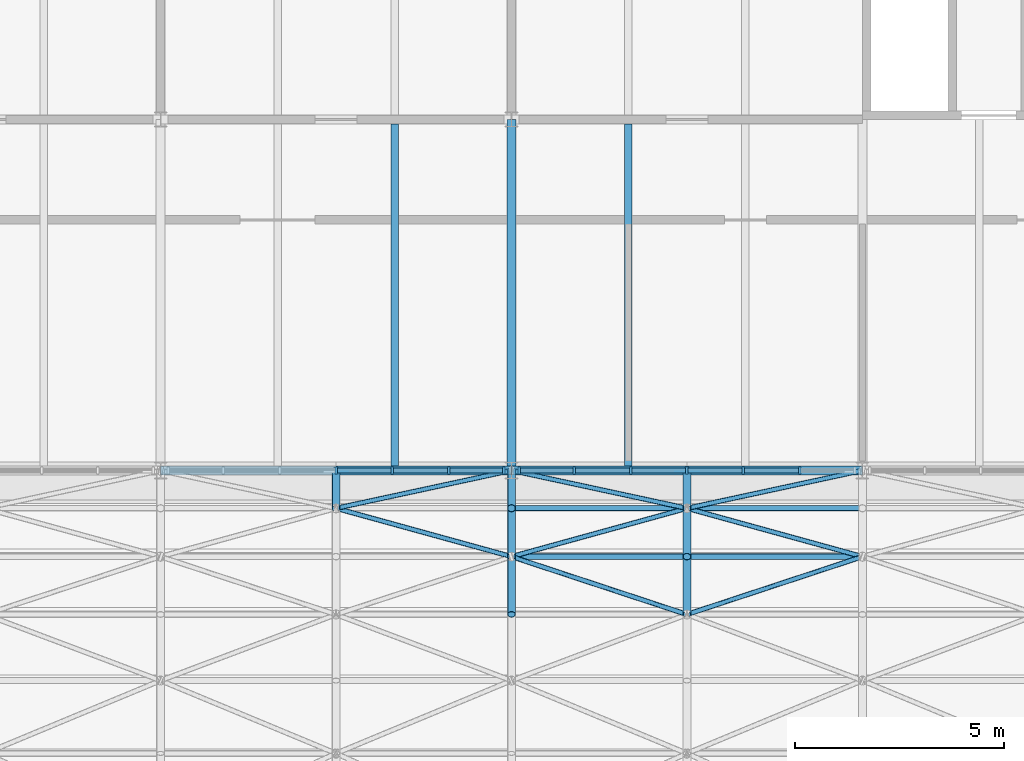
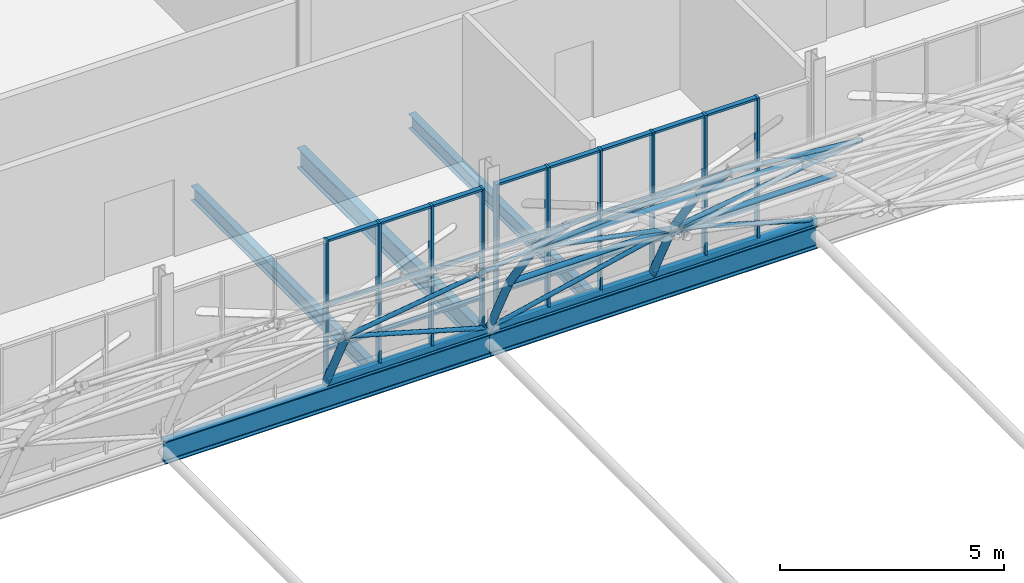
# One storey, part 55 of 121: 64 members, 5 beams, 2 elements without a shape of their own.
"""IFC4 building model written with IfcOpenShell, lengths in metres."""

from ifc_helpers import new_model, si_unit, direction, frame, origin, origin_2d, place, context, subcontext, project, spatial, rectangle, hollow_circle, i_section, extrude, material, layer, layer_set, material_profile, profile_set, type_object, element, aggregate, save


model = new_model("IFC4")

# Units and contexts
model_context = context("Model", 3, precision=1e-05, world=origin(), true_north=direction((0.0, 1.0)))
body_context = subcontext(model_context, "Body", "Model", "MODEL_VIEW")
ifc_project = project(units=[si_unit("LENGTHUNIT", "METRE"), si_unit("AREAUNIT", "SQUARE_METRE"), si_unit("VOLUMEUNIT", "CUBIC_METRE"), si_unit("PLANEANGLEUNIT", "RADIAN"), si_unit("MASSUNIT", "GRAM", prefix="KILO")], contexts=[model_context])

# Site, building, storey
site_placement = place(None, origin())
site = spatial("IfcSite", under=ifc_project, at=site_placement, CompositionType="ELEMENT")
building_placement = place(site_placement, origin())
building = spatial("IfcBuilding", under=site, at=building_placement, Name="Ardhachandra Cancer Care Centre", CompositionType="ELEMENT")
storey_placement = place(building_placement, frame((0.0, 0.0, 9.0)))
storey = spatial("IfcBuildingStorey", under=building, at=storey_placement, Name="L02", CompositionType="ELEMENT", Elevation=9.0)

# Beams
ifc_material_1 = material(Name="Steel E350 (IS 2062)", Category="steel")
ifc_material_profile_1 = material_profile(ifc_material_1, i_section(OverallWidth=0.179931640625, OverallDepth=0.39990234375, WebThickness=0.008544921875, FlangeThickness=0.013427734375, FilletRadius=0.02099609375, at=origin_2d()), Name="NPB 400x180x66.30")
ifc_profile_set_1 = profile_set([ifc_material_profile_1], Name="Steel E350 (IS 2062)")
beam_type_1 = type_object("IfcBeamType", Name="Beam NPB 400x180x66.30", PredefinedType="BEAM", material=ifc_profile_set_1)
for number, where, z_axis, x_axis, name in (
    (1, (92.0, 79.912109375, -0.35009765625), (0.0, 1.0, 0.0), (-1.0, 0.0, 0.0), "Secondary J10-K10@5600"),
    (2, (97.60009765625, 79.912109375, -0.35009765625), (0.0, 1.0, 0.0), (-1.0, 0.0, 0.0), "Secondary J11-K11@2800"),
):
    element("IfcBeam", number, at=place(storey_placement, frame(where, z_axis=z_axis, x_axis=x_axis)), inside=storey, type_object=beam_type_1, Name=name, PredefinedType="BEAM", context=body_context, shape_type="SweptSolid", body=[
        extrude(i_section(OverallWidth=0.179931640625, OverallDepth=0.39990234375, WebThickness=0.008544921875, FlangeThickness=0.013427734375, FilletRadius=0.02099609375, at=origin_2d()), origin(), (0.0, 0.0, 1.0), 8.182861328125),
    ])
ifc_material_2 = material(Name="Steel E350 (IS 2062)", Category="steel")
ifc_material_profile_2 = material_profile(ifc_material_2, i_section(OverallWidth=0.2099609375, OverallDepth=0.550048828125, WebThickness=0.010986328125, FlangeThickness=0.01708984375, FilletRadius=0.02392578125, at=origin_2d()), Name="NPB 550x210x105.52")
ifc_profile_set_2 = profile_set([ifc_material_profile_2], Name="Steel E350 (IS 2062)")
beam_type_2 = type_object("IfcBeamType", Name="Beam NPB 550x210x105.52", PredefinedType="BEAM", material=ifc_profile_set_2)
beam_1_placement = place(storey_placement, frame((94.800048828125, 79.800048828125, -0.425048828125), z_axis=(0.0, 1.0, 0.0), x_axis=(-1.0, 0.0, 0.0)))
element("IfcBeam", 3, at=beam_1_placement, inside=storey, type_object=beam_type_2, Name="Girder J11-K11", PredefinedType="BEAM", context=body_context, shape_type="SweptSolid", body=[
    extrude(i_section(OverallWidth=0.2099609375, OverallDepth=0.550048828125, WebThickness=0.010986328125, FlangeThickness=0.01708984375, FilletRadius=0.02392578125, at=origin_2d()), origin(), (0.0, 0.0, 1.0), 8.39990234375),
])
ifc_material_3 = material(Name="Steel E350 (IS 2062)", Category="steel")
ifc_material_profile_3 = material_profile(ifc_material_3, i_section(OverallWidth=0.22412109375, OverallDepth=0.610107421875, WebThickness=0.014892578125, FlangeThickness=0.02392578125, FilletRadius=0.02392578125, at=origin_2d()), Name="NPB 600x220x154.46")
ifc_profile_set_3 = profile_set([ifc_material_profile_3], Name="Steel E350 (IS 2062)")
beam_type_3 = type_object("IfcBeamType", Name="Beam NPB 600x220x154.46", PredefinedType="BEAM", material=ifc_profile_set_3)
beam_2_placement = place(storey_placement, frame((86.39990234375, 79.800048828125, -0.41455078125), z_axis=(1.0, 0.0, 0.0), x_axis=(0.0, 1.0, 0.0)))
element("IfcBeam", 4, at=beam_2_placement, inside=storey, type_object=beam_type_3, Name="Shell edge beam J10-J11", PredefinedType="BEAM", context=body_context, shape_type="SweptSolid", body=[
    extrude(i_section(OverallWidth=0.22412109375, OverallDepth=0.610107421875, WebThickness=0.014892578125, FlangeThickness=0.02392578125, FilletRadius=0.02392578125, at=origin_2d()), origin(), (0.0, 0.0, 1.0), 8.400146484375),
])
beam_3_placement = place(storey_placement, frame((94.800048828125, 79.800048828125, -0.41455078125), z_axis=(1.0, 0.0, 0.0), x_axis=(0.0, 1.0, 0.0)))
element("IfcBeam", 5, at=beam_3_placement, inside=storey, type_object=beam_type_3, Name="Shell edge beam J11-J12", PredefinedType="BEAM", context=body_context, shape_type="SweptSolid", body=[
    extrude(i_section(OverallWidth=0.22412109375, OverallDepth=0.610107421875, WebThickness=0.014892578125, FlangeThickness=0.02392578125, FilletRadius=0.02392578125, at=origin_2d()), origin(), (0.0, 0.0, 1.0), 8.39990234375),
])

# Curtain wall, members
ifc_material_4 = material(Name="Aluminium extrusion", Category="aluminium")
ifc_layer = layer(ifc_material_4, 0.14990234375)
ifc_layer_set = layer_set([ifc_layer], Name="Aluminium extrusion")
curtain_wall_type = type_object("IfcCurtainWallType", Name="Curtain wall run", PredefinedType="NOTDEFINED", material=ifc_layer_set)
curtain_wall_1_placement = place(storey_placement, origin())
curtain_wall_1 = element("IfcCurtainWall", 6, at=curtain_wall_1_placement, inside=storey, type_object=curtain_wall_type, Name="Curtain wall L02 s/0086400_0079800", PredefinedType="NOTDEFINED")
ifc_material_5 = material(Name="Aluminium extrusion", Category="aluminium")
ifc_material_profile_4 = material_profile(ifc_material_5, rectangle(XDim=0.159912109375, YDim=0.06005859375, at=origin_2d()), Name="Curtain wall mullion 60 x 160")
ifc_profile_set_4 = profile_set([ifc_material_profile_4], Name="Aluminium extrusion")
member_type_1 = type_object("IfcMemberType", Name="Curtain wall mullion 60 x 160", PredefinedType="MULLION", material=ifc_profile_set_4)
member_1_placement = place(storey_placement, frame((90.60009765625, 79.800048828125, 0.0), z_axis=(0.0, 0.0, 1.0), x_axis=(0.0, 1.0, 0.0)))
member_1 = element("IfcMember", 7, at=member_1_placement, type_object=member_type_1, Name="CW mullion 4", PredefinedType="MULLION", context=body_context, shape_type="SweptSolid", body=[
    extrude(rectangle(XDim=0.159912109375, YDim=0.06005859375, at=origin_2d()), origin(), (0.0, 0.0, 1.0), 3.885986328125),
])
member_2_placement = place(storey_placement, frame((91.949951171875, 79.800048828125, 0.0), z_axis=(0.0, 0.0, 1.0), x_axis=(0.0, 1.0, 0.0)))
member_2 = element("IfcMember", 8, at=member_2_placement, type_object=member_type_1, Name="CW mullion 5", PredefinedType="MULLION", context=body_context, shape_type="SweptSolid", body=[
    extrude(rectangle(XDim=0.159912109375, YDim=0.06005859375, at=origin_2d()), origin(), (0.0, 0.0, 1.0), 3.885986328125),
])
member_3_placement = place(storey_placement, frame((93.300048828125, 79.800048828125, 0.0), z_axis=(0.0, 0.0, 1.0), x_axis=(0.0, 1.0, 0.0)))
member_3 = element("IfcMember", 9, at=member_3_placement, type_object=member_type_1, Name="CW mullion 6", PredefinedType="MULLION", context=body_context, shape_type="SweptSolid", body=[
    extrude(rectangle(XDim=0.159912109375, YDim=0.06005859375, at=origin_2d()), origin(), (0.0, 0.0, 1.0), 3.885986328125),
])
member_4_placement = place(storey_placement, frame((94.6201171875, 79.800048828125, 0.0), z_axis=(0.0, 0.0, 1.0), x_axis=(0.0, 1.0, 0.0)))
member_4 = element("IfcMember", 10, at=member_4_placement, type_object=member_type_1, Name="CW mullion 7", PredefinedType="MULLION", context=body_context, shape_type="SweptSolid", body=[
    extrude(rectangle(XDim=0.159912109375, YDim=0.06005859375, at=origin_2d()), origin(), (0.0, 0.0, 1.0), 3.885986328125),
])

curtain_wall_2_placement = place(storey_placement, origin())
curtain_wall_2 = element("IfcCurtainWall", 11, at=curtain_wall_2_placement, inside=storey, type_object=curtain_wall_type, Name="Curtain wall L02 s/0094800_0079800", PredefinedType="NOTDEFINED")
member_5_placement = place(storey_placement, frame((94.97998046875, 79.800048828125, 0.0), z_axis=(0.0, 0.0, 1.0), x_axis=(0.0, 1.0, 0.0)))
member_5 = element("IfcMember", 12, at=member_5_placement, type_object=member_type_1, Name="CW mullion 1", PredefinedType="MULLION", context=body_context, shape_type="SweptSolid", body=[
    extrude(rectangle(XDim=0.159912109375, YDim=0.06005859375, at=origin_2d()), origin(), (0.0, 0.0, 1.0), 3.885986328125),
])
member_6_placement = place(storey_placement, frame((96.300048828125, 79.800048828125, 0.0), z_axis=(0.0, 0.0, 1.0), x_axis=(0.0, 1.0, 0.0)))
member_6 = element("IfcMember", 13, at=member_6_placement, type_object=member_type_1, Name="CW mullion 2", PredefinedType="MULLION", context=body_context, shape_type="SweptSolid", body=[
    extrude(rectangle(XDim=0.159912109375, YDim=0.06005859375, at=origin_2d()), origin(), (0.0, 0.0, 1.0), 3.885986328125),
])
member_7_placement = place(storey_placement, frame((97.64990234375, 79.800048828125, 0.0), z_axis=(0.0, 0.0, 1.0), x_axis=(0.0, 1.0, 0.0)))
member_7 = element("IfcMember", 14, at=member_7_placement, type_object=member_type_1, Name="CW mullion 3", PredefinedType="MULLION", context=body_context, shape_type="SweptSolid", body=[
    extrude(rectangle(XDim=0.159912109375, YDim=0.06005859375, at=origin_2d()), origin(), (0.0, 0.0, 1.0), 3.885986328125),
])
member_8_placement = place(storey_placement, frame((99.0, 79.800048828125, 0.0), z_axis=(0.0, 0.0, 1.0), x_axis=(0.0, 1.0, 0.0)))
member_8 = element("IfcMember", 15, at=member_8_placement, type_object=member_type_1, Name="CW mullion 4", PredefinedType="MULLION", context=body_context, shape_type="SweptSolid", body=[
    extrude(rectangle(XDim=0.159912109375, YDim=0.06005859375, at=origin_2d()), origin(), (0.0, 0.0, 1.0), 3.885986328125),
])
member_9_placement = place(storey_placement, frame((100.35009765625, 79.800048828125, 0.0), z_axis=(0.0, 0.0, 1.0), x_axis=(0.0, 1.0, 0.0)))
member_9 = element("IfcMember", 16, at=member_9_placement, type_object=member_type_1, Name="CW mullion 5", PredefinedType="MULLION", context=body_context, shape_type="SweptSolid", body=[
    extrude(rectangle(XDim=0.159912109375, YDim=0.06005859375, at=origin_2d()), origin(), (0.0, 0.0, 1.0), 3.885986328125),
])
member_10_placement = place(storey_placement, frame((101.699951171875, 79.800048828125, 0.0), z_axis=(0.0, 0.0, 1.0), x_axis=(0.0, 1.0, 0.0)))
member_10 = element("IfcMember", 17, at=member_10_placement, type_object=member_type_1, Name="CW mullion 6", PredefinedType="MULLION", context=body_context, shape_type="SweptSolid", body=[
    extrude(rectangle(XDim=0.159912109375, YDim=0.06005859375, at=origin_2d()), origin(), (0.0, 0.0, 1.0), 3.885986328125),
])

# Member
ifc_material_6 = material(Name="Aluminium extrusion", Category="aluminium")
ifc_material_profile_5 = material_profile(ifc_material_6, rectangle(XDim=0.1201171875, YDim=0.06005859375, at=origin_2d()), Name="Curtain wall transom 60 x 120")
ifc_profile_set_5 = profile_set([ifc_material_profile_5], Name="Aluminium extrusion")
member_type_2 = type_object("IfcMemberType", Name="Curtain wall transom 60 x 120", PredefinedType="USERDEFINED", material=ifc_profile_set_5)
member_11_placement = place(storey_placement, frame((90.6298828125, 79.800048828125, 0.030029296875), z_axis=(1.0, 0.0, 0.0), x_axis=(0.0, 1.0, 0.0)))
member_11 = element("IfcMember", 18, at=member_11_placement, type_object=member_type_2, Name="CW transom 4.1", ObjectType="TRANSOM", PredefinedType="USERDEFINED", context=body_context, shape_type="SweptSolid", body=[
    extrude(rectangle(XDim=0.1201171875, YDim=0.06005859375, at=origin_2d()), origin(), (0.0, 0.0, 1.0), 1.2900390625),
])

member_12_placement = place(storey_placement, frame((90.6298828125, 79.800048828125, 0.89990234375), z_axis=(1.0, 0.0, 0.0), x_axis=(0.0, 1.0, 0.0)))
member_12 = element("IfcMember", 19, at=member_12_placement, type_object=member_type_2, Name="CW transom 4.2", ObjectType="TRANSOM", PredefinedType="USERDEFINED", context=body_context, shape_type="SweptSolid", body=[
    extrude(rectangle(XDim=0.1201171875, YDim=0.06005859375, at=origin_2d()), origin(), (0.0, 0.0, 1.0), 1.2900390625),
])

member_13_placement = place(storey_placement, frame((90.6298828125, 79.800048828125, 2.10009765625), z_axis=(1.0, 0.0, 0.0), x_axis=(0.0, 1.0, 0.0)))
member_13 = element("IfcMember", 20, at=member_13_placement, type_object=member_type_2, Name="CW transom 4.3", ObjectType="TRANSOM", PredefinedType="USERDEFINED", context=body_context, shape_type="SweptSolid", body=[
    extrude(rectangle(XDim=0.1201171875, YDim=0.06005859375, at=origin_2d()), origin(), (0.0, 0.0, 1.0), 1.2900390625),
])

member_14_placement = place(storey_placement, frame((90.6298828125, 79.800048828125, 3.85595703125), z_axis=(1.0, 0.0, 0.0), x_axis=(0.0, 1.0, 0.0)))
member_14 = element("IfcMember", 21, at=member_14_placement, type_object=member_type_2, Name="CW transom 4.4", ObjectType="TRANSOM", PredefinedType="USERDEFINED", context=body_context, shape_type="SweptSolid", body=[
    extrude(rectangle(XDim=0.1201171875, YDim=0.06005859375, at=origin_2d()), origin(), (0.0, 0.0, 1.0), 1.2900390625),
])

member_15_placement = place(storey_placement, frame((91.97998046875, 79.800048828125, 0.030029296875), z_axis=(1.0, 0.0, 0.0), x_axis=(0.0, 1.0, 0.0)))
member_15 = element("IfcMember", 22, at=member_15_placement, type_object=member_type_2, Name="CW transom 5.1", ObjectType="TRANSOM", PredefinedType="USERDEFINED", context=body_context, shape_type="SweptSolid", body=[
    extrude(rectangle(XDim=0.1201171875, YDim=0.06005859375, at=origin_2d()), origin(), (0.0, 0.0, 1.0), 1.2900390625),
])

member_16_placement = place(storey_placement, frame((91.97998046875, 79.800048828125, 0.89990234375), z_axis=(1.0, 0.0, 0.0), x_axis=(0.0, 1.0, 0.0)))
member_16 = element("IfcMember", 23, at=member_16_placement, type_object=member_type_2, Name="CW transom 5.2", ObjectType="TRANSOM", PredefinedType="USERDEFINED", context=body_context, shape_type="SweptSolid", body=[
    extrude(rectangle(XDim=0.1201171875, YDim=0.06005859375, at=origin_2d()), origin(), (0.0, 0.0, 1.0), 1.2900390625),
])

member_17_placement = place(storey_placement, frame((91.97998046875, 79.800048828125, 2.10009765625), z_axis=(1.0, 0.0, 0.0), x_axis=(0.0, 1.0, 0.0)))
member_17 = element("IfcMember", 24, at=member_17_placement, type_object=member_type_2, Name="CW transom 5.3", ObjectType="TRANSOM", PredefinedType="USERDEFINED", context=body_context, shape_type="SweptSolid", body=[
    extrude(rectangle(XDim=0.1201171875, YDim=0.06005859375, at=origin_2d()), origin(), (0.0, 0.0, 1.0), 1.2900390625),
])

member_18_placement = place(storey_placement, frame((91.97998046875, 79.800048828125, 3.85595703125), z_axis=(1.0, 0.0, 0.0), x_axis=(0.0, 1.0, 0.0)))
member_18 = element("IfcMember", 25, at=member_18_placement, type_object=member_type_2, Name="CW transom 5.4", ObjectType="TRANSOM", PredefinedType="USERDEFINED", context=body_context, shape_type="SweptSolid", body=[
    extrude(rectangle(XDim=0.1201171875, YDim=0.06005859375, at=origin_2d()), origin(), (0.0, 0.0, 1.0), 1.2900390625),
])

member_19_placement = place(storey_placement, frame((93.330078125, 79.800048828125, 0.030029296875), z_axis=(1.0, 0.0, 0.0), x_axis=(0.0, 1.0, 0.0)))
member_19 = element("IfcMember", 26, at=member_19_placement, type_object=member_type_2, Name="CW transom 6.1", ObjectType="TRANSOM", PredefinedType="USERDEFINED", context=body_context, shape_type="SweptSolid", body=[
    extrude(rectangle(XDim=0.1201171875, YDim=0.06005859375, at=origin_2d()), origin(), (0.0, 0.0, 1.0), 1.260009765625),
])

member_20_placement = place(storey_placement, frame((93.330078125, 79.800048828125, 0.89990234375), z_axis=(1.0, 0.0, 0.0), x_axis=(0.0, 1.0, 0.0)))
member_20 = element("IfcMember", 27, at=member_20_placement, type_object=member_type_2, Name="CW transom 6.2", ObjectType="TRANSOM", PredefinedType="USERDEFINED", context=body_context, shape_type="SweptSolid", body=[
    extrude(rectangle(XDim=0.1201171875, YDim=0.06005859375, at=origin_2d()), origin(), (0.0, 0.0, 1.0), 1.260009765625),
])

member_21_placement = place(storey_placement, frame((93.330078125, 79.800048828125, 2.10009765625), z_axis=(1.0, 0.0, 0.0), x_axis=(0.0, 1.0, 0.0)))
member_21 = element("IfcMember", 28, at=member_21_placement, type_object=member_type_2, Name="CW transom 6.3", ObjectType="TRANSOM", PredefinedType="USERDEFINED", context=body_context, shape_type="SweptSolid", body=[
    extrude(rectangle(XDim=0.1201171875, YDim=0.06005859375, at=origin_2d()), origin(), (0.0, 0.0, 1.0), 1.260009765625),
])

member_22_placement = place(storey_placement, frame((93.330078125, 79.800048828125, 3.85595703125), z_axis=(1.0, 0.0, 0.0), x_axis=(0.0, 1.0, 0.0)))
member_22 = element("IfcMember", 29, at=member_22_placement, type_object=member_type_2, Name="CW transom 6.4", ObjectType="TRANSOM", PredefinedType="USERDEFINED", context=body_context, shape_type="SweptSolid", body=[
    extrude(rectangle(XDim=0.1201171875, YDim=0.06005859375, at=origin_2d()), origin(), (0.0, 0.0, 1.0), 1.260009765625),
])

aggregate(curtain_wall_1, [member_1, member_2, member_3, member_4, member_11, member_12, member_13, member_14, member_15, member_16, member_17, member_18, member_19, member_20, member_21, member_22])

member_23_placement = place(storey_placement, frame((95.010009765625, 79.800048828125, 0.030029296875), z_axis=(1.0, 0.0, 0.0), x_axis=(0.0, 1.0, 0.0)))
member_23 = element("IfcMember", 30, at=member_23_placement, type_object=member_type_2, Name="CW transom 1.1", ObjectType="TRANSOM", PredefinedType="USERDEFINED", context=body_context, shape_type="SweptSolid", body=[
    extrude(rectangle(XDim=0.1201171875, YDim=0.06005859375, at=origin_2d()), origin(), (0.0, 0.0, 1.0), 1.260009765625),
])

member_24_placement = place(storey_placement, frame((95.010009765625, 79.800048828125, 0.89990234375), z_axis=(1.0, 0.0, 0.0), x_axis=(0.0, 1.0, 0.0)))
member_24 = element("IfcMember", 31, at=member_24_placement, type_object=member_type_2, Name="CW transom 1.2", ObjectType="TRANSOM", PredefinedType="USERDEFINED", context=body_context, shape_type="SweptSolid", body=[
    extrude(rectangle(XDim=0.1201171875, YDim=0.06005859375, at=origin_2d()), origin(), (0.0, 0.0, 1.0), 1.260009765625),
])

member_25_placement = place(storey_placement, frame((95.010009765625, 79.800048828125, 2.10009765625), z_axis=(1.0, 0.0, 0.0), x_axis=(0.0, 1.0, 0.0)))
member_25 = element("IfcMember", 32, at=member_25_placement, type_object=member_type_2, Name="CW transom 1.3", ObjectType="TRANSOM", PredefinedType="USERDEFINED", context=body_context, shape_type="SweptSolid", body=[
    extrude(rectangle(XDim=0.1201171875, YDim=0.06005859375, at=origin_2d()), origin(), (0.0, 0.0, 1.0), 1.260009765625),
])

member_26_placement = place(storey_placement, frame((95.010009765625, 79.800048828125, 3.85595703125), z_axis=(1.0, 0.0, 0.0), x_axis=(0.0, 1.0, 0.0)))
member_26 = element("IfcMember", 33, at=member_26_placement, type_object=member_type_2, Name="CW transom 1.4", ObjectType="TRANSOM", PredefinedType="USERDEFINED", context=body_context, shape_type="SweptSolid", body=[
    extrude(rectangle(XDim=0.1201171875, YDim=0.06005859375, at=origin_2d()), origin(), (0.0, 0.0, 1.0), 1.260009765625),
])

member_27_placement = place(storey_placement, frame((96.330078125, 79.800048828125, 0.030029296875), z_axis=(1.0, 0.0, 0.0), x_axis=(0.0, 1.0, 0.0)))
member_27 = element("IfcMember", 34, at=member_27_placement, type_object=member_type_2, Name="CW transom 2.1", ObjectType="TRANSOM", PredefinedType="USERDEFINED", context=body_context, shape_type="SweptSolid", body=[
    extrude(rectangle(XDim=0.1201171875, YDim=0.06005859375, at=origin_2d()), origin(), (0.0, 0.0, 1.0), 1.2900390625),
])

member_28_placement = place(storey_placement, frame((96.330078125, 79.800048828125, 0.89990234375), z_axis=(1.0, 0.0, 0.0), x_axis=(0.0, 1.0, 0.0)))
member_28 = element("IfcMember", 35, at=member_28_placement, type_object=member_type_2, Name="CW transom 2.2", ObjectType="TRANSOM", PredefinedType="USERDEFINED", context=body_context, shape_type="SweptSolid", body=[
    extrude(rectangle(XDim=0.1201171875, YDim=0.06005859375, at=origin_2d()), origin(), (0.0, 0.0, 1.0), 1.2900390625),
])

member_29_placement = place(storey_placement, frame((96.330078125, 79.800048828125, 2.10009765625), z_axis=(1.0, 0.0, 0.0), x_axis=(0.0, 1.0, 0.0)))
member_29 = element("IfcMember", 36, at=member_29_placement, type_object=member_type_2, Name="CW transom 2.3", ObjectType="TRANSOM", PredefinedType="USERDEFINED", context=body_context, shape_type="SweptSolid", body=[
    extrude(rectangle(XDim=0.1201171875, YDim=0.06005859375, at=origin_2d()), origin(), (0.0, 0.0, 1.0), 1.2900390625),
])

member_30_placement = place(storey_placement, frame((96.330078125, 79.800048828125, 3.85595703125), z_axis=(1.0, 0.0, 0.0), x_axis=(0.0, 1.0, 0.0)))
member_30 = element("IfcMember", 37, at=member_30_placement, type_object=member_type_2, Name="CW transom 2.4", ObjectType="TRANSOM", PredefinedType="USERDEFINED", context=body_context, shape_type="SweptSolid", body=[
    extrude(rectangle(XDim=0.1201171875, YDim=0.06005859375, at=origin_2d()), origin(), (0.0, 0.0, 1.0), 1.2900390625),
])

member_31_placement = place(storey_placement, frame((97.679931640625, 79.800048828125, 0.030029296875), z_axis=(1.0, 0.0, 0.0), x_axis=(0.0, 1.0, 0.0)))
member_31 = element("IfcMember", 38, at=member_31_placement, type_object=member_type_2, Name="CW transom 3.1", ObjectType="TRANSOM", PredefinedType="USERDEFINED", context=body_context, shape_type="SweptSolid", body=[
    extrude(rectangle(XDim=0.1201171875, YDim=0.06005859375, at=origin_2d()), origin(), (0.0, 0.0, 1.0), 1.2900390625),
])

member_32_placement = place(storey_placement, frame((97.679931640625, 79.800048828125, 0.89990234375), z_axis=(1.0, 0.0, 0.0), x_axis=(0.0, 1.0, 0.0)))
member_32 = element("IfcMember", 39, at=member_32_placement, type_object=member_type_2, Name="CW transom 3.2", ObjectType="TRANSOM", PredefinedType="USERDEFINED", context=body_context, shape_type="SweptSolid", body=[
    extrude(rectangle(XDim=0.1201171875, YDim=0.06005859375, at=origin_2d()), origin(), (0.0, 0.0, 1.0), 1.2900390625),
])

member_33_placement = place(storey_placement, frame((97.679931640625, 79.800048828125, 2.10009765625), z_axis=(1.0, 0.0, 0.0), x_axis=(0.0, 1.0, 0.0)))
member_33 = element("IfcMember", 40, at=member_33_placement, type_object=member_type_2, Name="CW transom 3.3", ObjectType="TRANSOM", PredefinedType="USERDEFINED", context=body_context, shape_type="SweptSolid", body=[
    extrude(rectangle(XDim=0.1201171875, YDim=0.06005859375, at=origin_2d()), origin(), (0.0, 0.0, 1.0), 1.2900390625),
])

member_34_placement = place(storey_placement, frame((97.679931640625, 79.800048828125, 3.85595703125), z_axis=(1.0, 0.0, 0.0), x_axis=(0.0, 1.0, 0.0)))
member_34 = element("IfcMember", 41, at=member_34_placement, type_object=member_type_2, Name="CW transom 3.4", ObjectType="TRANSOM", PredefinedType="USERDEFINED", context=body_context, shape_type="SweptSolid", body=[
    extrude(rectangle(XDim=0.1201171875, YDim=0.06005859375, at=origin_2d()), origin(), (0.0, 0.0, 1.0), 1.2900390625),
])

member_35_placement = place(storey_placement, frame((99.030029296875, 79.800048828125, 0.030029296875), z_axis=(1.0, 0.0, 0.0), x_axis=(0.0, 1.0, 0.0)))
member_35 = element("IfcMember", 42, at=member_35_placement, type_object=member_type_2, Name="CW transom 4.1", ObjectType="TRANSOM", PredefinedType="USERDEFINED", context=body_context, shape_type="SweptSolid", body=[
    extrude(rectangle(XDim=0.1201171875, YDim=0.06005859375, at=origin_2d()), origin(), (0.0, 0.0, 1.0), 1.2900390625),
])

member_36_placement = place(storey_placement, frame((99.030029296875, 79.800048828125, 0.89990234375), z_axis=(1.0, 0.0, 0.0), x_axis=(0.0, 1.0, 0.0)))
member_36 = element("IfcMember", 43, at=member_36_placement, type_object=member_type_2, Name="CW transom 4.2", ObjectType="TRANSOM", PredefinedType="USERDEFINED", context=body_context, shape_type="SweptSolid", body=[
    extrude(rectangle(XDim=0.1201171875, YDim=0.06005859375, at=origin_2d()), origin(), (0.0, 0.0, 1.0), 1.2900390625),
])

member_37_placement = place(storey_placement, frame((99.030029296875, 79.800048828125, 2.10009765625), z_axis=(1.0, 0.0, 0.0), x_axis=(0.0, 1.0, 0.0)))
member_37 = element("IfcMember", 44, at=member_37_placement, type_object=member_type_2, Name="CW transom 4.3", ObjectType="TRANSOM", PredefinedType="USERDEFINED", context=body_context, shape_type="SweptSolid", body=[
    extrude(rectangle(XDim=0.1201171875, YDim=0.06005859375, at=origin_2d()), origin(), (0.0, 0.0, 1.0), 1.2900390625),
])

member_38_placement = place(storey_placement, frame((99.030029296875, 79.800048828125, 3.85595703125), z_axis=(1.0, 0.0, 0.0), x_axis=(0.0, 1.0, 0.0)))
member_38 = element("IfcMember", 45, at=member_38_placement, type_object=member_type_2, Name="CW transom 4.4", ObjectType="TRANSOM", PredefinedType="USERDEFINED", context=body_context, shape_type="SweptSolid", body=[
    extrude(rectangle(XDim=0.1201171875, YDim=0.06005859375, at=origin_2d()), origin(), (0.0, 0.0, 1.0), 1.2900390625),
])

member_39_placement = place(storey_placement, frame((100.3798828125, 79.800048828125, 0.030029296875), z_axis=(1.0, 0.0, 0.0), x_axis=(0.0, 1.0, 0.0)))
member_39 = element("IfcMember", 46, at=member_39_placement, type_object=member_type_2, Name="CW transom 5.1", ObjectType="TRANSOM", PredefinedType="USERDEFINED", context=body_context, shape_type="SweptSolid", body=[
    extrude(rectangle(XDim=0.1201171875, YDim=0.06005859375, at=origin_2d()), origin(), (0.0, 0.0, 1.0), 1.2900390625),
])

member_40_placement = place(storey_placement, frame((100.3798828125, 79.800048828125, 0.89990234375), z_axis=(1.0, 0.0, 0.0), x_axis=(0.0, 1.0, 0.0)))
member_40 = element("IfcMember", 47, at=member_40_placement, type_object=member_type_2, Name="CW transom 5.2", ObjectType="TRANSOM", PredefinedType="USERDEFINED", context=body_context, shape_type="SweptSolid", body=[
    extrude(rectangle(XDim=0.1201171875, YDim=0.06005859375, at=origin_2d()), origin(), (0.0, 0.0, 1.0), 1.2900390625),
])

member_41_placement = place(storey_placement, frame((100.3798828125, 79.800048828125, 2.10009765625), z_axis=(1.0, 0.0, 0.0), x_axis=(0.0, 1.0, 0.0)))
member_41 = element("IfcMember", 48, at=member_41_placement, type_object=member_type_2, Name="CW transom 5.3", ObjectType="TRANSOM", PredefinedType="USERDEFINED", context=body_context, shape_type="SweptSolid", body=[
    extrude(rectangle(XDim=0.1201171875, YDim=0.06005859375, at=origin_2d()), origin(), (0.0, 0.0, 1.0), 1.2900390625),
])

member_42_placement = place(storey_placement, frame((100.3798828125, 79.800048828125, 3.85595703125), z_axis=(1.0, 0.0, 0.0), x_axis=(0.0, 1.0, 0.0)))
member_42 = element("IfcMember", 49, at=member_42_placement, type_object=member_type_2, Name="CW transom 5.4", ObjectType="TRANSOM", PredefinedType="USERDEFINED", context=body_context, shape_type="SweptSolid", body=[
    extrude(rectangle(XDim=0.1201171875, YDim=0.06005859375, at=origin_2d()), origin(), (0.0, 0.0, 1.0), 1.2900390625),
])

aggregate(curtain_wall_2, [member_5, member_6, member_7, member_8, member_9, member_10, member_23, member_24, member_25, member_26, member_27, member_28, member_29, member_30, member_31, member_32, member_33, member_34, member_35, member_36, member_37, member_38, member_39, member_40, member_41, member_42])

# Members
ifc_material_7 = material(Name="Steel E350 (IS 2062)", Category="steel")
ifc_material_profile_6 = material_profile(ifc_material_7, hollow_circle(Radius=0.05712890625, WallThickness=0.0048828125, at=origin_2d()), Name="CHS 114.3x5.0")
ifc_profile_set_6 = profile_set([ifc_material_profile_6], Name="Steel E350 (IS 2062)")
member_type_3 = type_object("IfcMemberType", Name="Hall shell Diagonal CHS 114.3x5.0", PredefinedType="BRACE", material=ifc_profile_set_6)
for number, where, z_axis, x_axis, name in (
    (50, (94.800048828125, 77.738037109375, 3.426025390625), (-0.902461325562, 0.248605721202, -0.351793620253), (-0.265582388334, -0.964088167652, 0.0), "Hall shell diagonal 12-14"),
    (51, (90.60009765625, 78.89501953125, 1.788818359375), (0.902463534711, 0.194467960424, -0.384371930409), (-0.210650483477, 0.977561442474, 0.0), "Hall shell diagonal 11-15"),
    (52, (99.0, 76.353515625, 4.8759765625), (-0.902457097304, 0.297496610987, -0.311555699639), (-0.313079224057, -0.949727013128, 0.0), "Hall shell diagonal 13-13"),
    (53, (94.800048828125, 77.738037109375, 3.426025390625), (0.902461325562, 0.248605721202, -0.351793620253), (-0.265582388334, 0.964088167652, 0.0), "Hall shell diagonal 12-14"),
    (54, (99.0, 78.89501953125, 1.788818359375), (-0.902463534711, 0.194467960424, -0.384371930409), (-0.210650483477, -0.977561442474, 0.0), "Hall shell diagonal 13-15"),
    (55, (99.0, 76.353515625, 4.8759765625), (0.902457097304, 0.297496610987, -0.311555699639), (-0.313079224057, 0.949727013128, 0.0), "Hall shell diagonal 13-13"),
    (56, (103.199951171875, 77.738037109375, 3.426025390625), (-0.902461325562, 0.248605721202, -0.351793620253), (-0.265582388334, -0.964088167652, 0.0), "Hall shell diagonal 14-14"),
    (57, (99.0, 78.89501953125, 1.788818359375), (0.902463534711, 0.194467960424, -0.384371930409), (-0.210650483477, 0.977561442474, 0.0), "Hall shell diagonal 13-15"),
):
    element("IfcMember", number, at=place(storey_placement, frame(where, z_axis=z_axis, x_axis=x_axis)), inside=storey, type_object=member_type_3, Name=name, PredefinedType="BRACE", context=body_context, shape_type="SweptSolid", body=[
        extrude(hollow_circle(Radius=0.05712890625, WallThickness=0.0048828125, at=origin_2d()), origin(), (0.0, 0.0, 1.0), 4.65380859375),
    ])
ifc_material_8 = material(Name="Steel E350 (IS 2062)", Category="steel")
ifc_material_profile_7 = material_profile(ifc_material_8, hollow_circle(Radius=0.06982421875, WallThickness=0.0048828125, at=origin_2d()), Name="CHS 139.7x5.0")
ifc_profile_set_7 = profile_set([ifc_material_profile_7], Name="Steel E350 (IS 2062)")
member_type_4 = type_object("IfcMemberType", Name="Hall shell Purlin CHS 139.7x5.0", PredefinedType="PURLIN", material=ifc_profile_set_7)
for number, where, z_axis, x_axis, name in (
    (58, (94.800048828125, 77.738037109375, 3.426025390625), (1.0, 0.0, 0.0), (0.0, 1.0, 0.0), "Hall shell purlin 12-14"),
    (59, (99.0, 77.738037109375, 3.426025390625), (1.0, 0.0, 0.0), (0.0, 1.0, 0.0), "Hall shell purlin 13-14"),
    (60, (94.800048828125, 78.89501953125, 1.788818359375), (1.0, 0.0, 0.0), (0.0, 1.0, 0.0), "Hall shell purlin 12-15"),
    (61, (99.0, 78.89501953125, 1.788818359375), (1.0, 0.0, 0.0), (0.0, 1.0, 0.0), "Hall shell purlin 13-15"),
):
    element("IfcMember", number, at=place(storey_placement, frame(where, z_axis=z_axis, x_axis=x_axis)), inside=storey, type_object=member_type_4, Name=name, PredefinedType="PURLIN", context=body_context, shape_type="SweptSolid", body=[
        extrude(hollow_circle(Radius=0.06982421875, WallThickness=0.0048828125, at=origin_2d()), origin(), (0.0, 0.0, 1.0), 4.199951171875),
    ])
ifc_material_9 = material(Name="Steel E350 (IS 2062)", Category="steel")
ifc_material_profile_8 = material_profile(ifc_material_9, hollow_circle(Radius=0.109619140625, WallThickness=0.008056640625, at=origin_2d()), Name="CHS 219.1x8.0")
ifc_profile_set_8 = profile_set([ifc_material_profile_8], Name="Steel E350 (IS 2062)")
member_type_5 = type_object("IfcMemberType", Name="Hall shell Purlin CHS 219.1x8.0", PredefinedType="PURLIN", material=ifc_profile_set_8)
for number, where, z_axis, x_axis, name in (
    (62, (90.60009765625, 79.800048828125, 0.0), (1.0, 0.0, 0.0), (0.0, 1.0, 0.0), "Hall shell purlin 11-16"),
    (63, (94.800048828125, 79.800048828125, 0.0), (1.0, 0.0, 0.0), (0.0, 1.0, 0.0), "Hall shell purlin 12-16"),
    (64, (99.0, 79.800048828125, 0.0), (1.0, 0.0, 0.0), (0.0, 1.0, 0.0), "Hall shell purlin 13-16"),
):
    element("IfcMember", number, at=place(storey_placement, frame(where, z_axis=z_axis, x_axis=x_axis)), inside=storey, type_object=member_type_5, Name=name, PredefinedType="PURLIN", context=body_context, shape_type="SweptSolid", body=[
        extrude(hollow_circle(Radius=0.109619140625, WallThickness=0.008056640625, at=origin_2d()), origin(), (0.0, 0.0, 1.0), 4.199951171875),
    ])
ifc_material_10 = material(Name="Steel E350 (IS 2062)", Category="steel")
ifc_material_profile_9 = material_profile(ifc_material_10, hollow_circle(Radius=0.096923828125, WallThickness=0.008056640625, at=origin_2d()), Name="CHS 193.7x8.0")
ifc_profile_set_9 = profile_set([ifc_material_profile_9], Name="Steel E350 (IS 2062)")
member_type_6 = type_object("IfcMemberType", Name="Hall shell Rib CHS 193.7x8.0", PredefinedType="RAFTER", material=ifc_profile_set_9)
member_43_placement = place(storey_placement, frame((90.60009765625, 78.89501953125, 1.788818359375), z_axis=(0.0, 0.451446595645, -0.892298140355), x_axis=(-1.0, 0.0, 0.0)))
element("IfcMember", 65, at=member_43_placement, inside=storey, type_object=member_type_6, Name="Hall shell rib 11-15", PredefinedType="RAFTER", context=body_context, shape_type="SweptSolid", body=[
    extrude(hollow_circle(Radius=0.096923828125, WallThickness=0.008056640625, at=origin_2d()), origin(), (0.0, 0.0, 1.0), 2.004638671875),
])
member_44_placement = place(storey_placement, frame((94.800048828125, 76.353515625, 4.8759765625), z_axis=(0.0, 0.690600278641, -0.723236652239), x_axis=(-1.0, 0.0, 0.0)))
element("IfcMember", 66, at=member_44_placement, inside=storey, type_object=member_type_6, Name="Hall shell rib 12-13", PredefinedType="RAFTER", context=body_context, shape_type="SweptSolid", body=[
    extrude(hollow_circle(Radius=0.096923828125, WallThickness=0.008056640625, at=origin_2d()), origin(), (0.0, 0.0, 1.0), 2.0048828125),
])
for number, where, z_axis, x_axis, name in (
    (67, (94.800048828125, 77.738037109375, 3.426025390625), (0.0, 0.577118207202, -0.816660624076), (-1.0, 0.0, 0.0), "Hall shell rib 12-14"),
    (68, (94.800048828125, 78.89501953125, 1.788818359375), (0.0, 0.451446595645, -0.892298140355), (-1.0, 0.0, 0.0), "Hall shell rib 12-15"),
):
    element("IfcMember", number, at=place(storey_placement, frame(where, z_axis=z_axis, x_axis=x_axis)), inside=storey, type_object=member_type_6, Name=name, PredefinedType="RAFTER", context=body_context, shape_type="SweptSolid", body=[
        extrude(hollow_circle(Radius=0.096923828125, WallThickness=0.008056640625, at=origin_2d()), origin(), (0.0, 0.0, 1.0), 2.004638671875),
    ])
member_45_placement = place(storey_placement, frame((99.0, 76.353515625, 4.8759765625), z_axis=(0.0, 0.690600278641, -0.723236652239), x_axis=(-1.0, 0.0, 0.0)))
element("IfcMember", 69, at=member_45_placement, inside=storey, type_object=member_type_6, Name="Hall shell rib 13-13", PredefinedType="RAFTER", context=body_context, shape_type="SweptSolid", body=[
    extrude(hollow_circle(Radius=0.096923828125, WallThickness=0.008056640625, at=origin_2d()), origin(), (0.0, 0.0, 1.0), 2.0048828125),
])
for number, where, z_axis, x_axis, name in (
    (70, (99.0, 77.738037109375, 3.426025390625), (0.0, 0.577118207202, -0.816660624076), (-1.0, 0.0, 0.0), "Hall shell rib 13-14"),
    (71, (99.0, 78.89501953125, 1.788818359375), (0.0, 0.451446595645, -0.892298140355), (-1.0, 0.0, 0.0), "Hall shell rib 13-15"),
):
    element("IfcMember", number, at=place(storey_placement, frame(where, z_axis=z_axis, x_axis=x_axis)), inside=storey, type_object=member_type_6, Name=name, PredefinedType="RAFTER", context=body_context, shape_type="SweptSolid", body=[
        extrude(hollow_circle(Radius=0.096923828125, WallThickness=0.008056640625, at=origin_2d()), origin(), (0.0, 0.0, 1.0), 2.004638671875),
    ])

save(model, "model.ifc")
